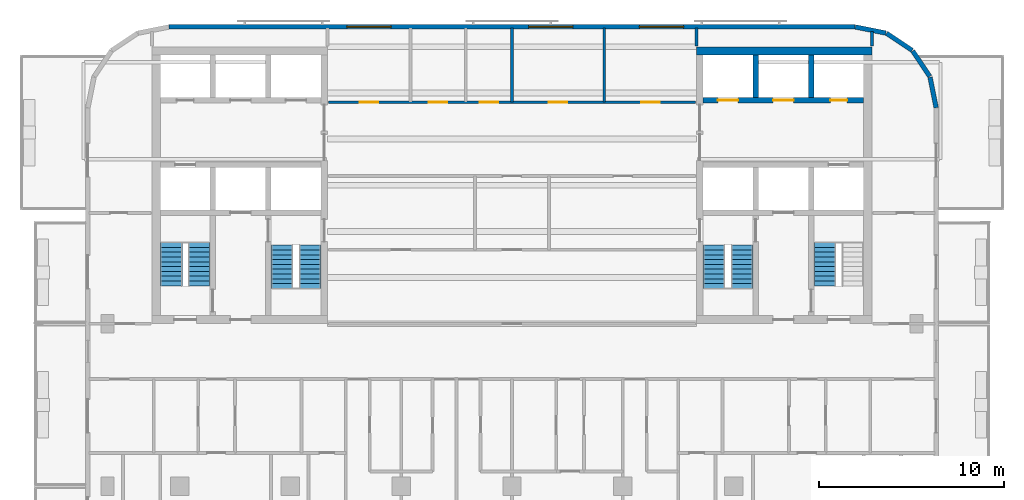
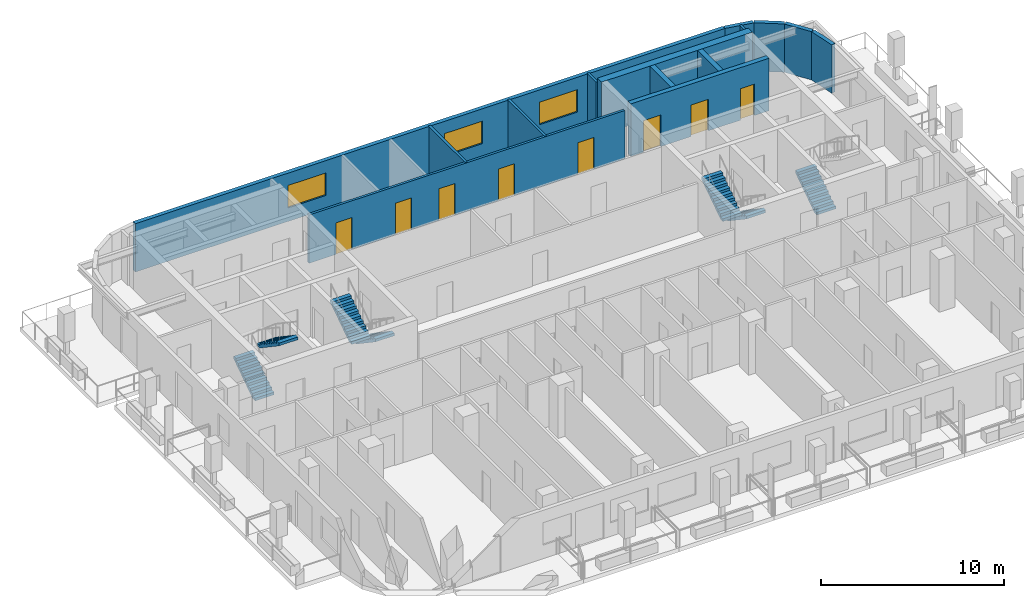
# One storey, part 7 of 11: 14 walls, 8 doors, 7 stair flights, 3 windows, 11 openings, 4 elements without a shape of their own.
"""IFC4 building model written with IfcOpenShell, lengths in metres."""

from ifc_helpers import new_model, si_unit, direction, frame, frame_2d, origin, place, context, subcontext, project, spatial, polyline, rectangle, outline, extrude, material, layer, layer_set, type_object, element, fill, aggregate, save


model = new_model("IFC4")

# Units and contexts
model_context = context("Model", 3, precision=1e-05, world=origin(), true_north=direction((0.0, 1.0)))
body_context = subcontext(model_context, "Body", "Model", "MODEL_VIEW")
ifc_project = project(units=[si_unit("LENGTHUNIT", "METRE"), si_unit("AREAUNIT", "SQUARE_METRE"), si_unit("VOLUMEUNIT", "CUBIC_METRE"), si_unit("PLANEANGLEUNIT", "RADIAN"), si_unit("MASSUNIT", "GRAM", prefix="KILO")], contexts=[model_context])

# Site, building, storey
site_placement = place(None, origin())
site = spatial("IfcSite", under=ifc_project, at=site_placement, CompositionType="ELEMENT")
building_placement = place(site_placement, origin())
building = spatial("IfcBuilding", under=site, at=building_placement, Name="Torana Hotel and Residences", CompositionType="ELEMENT")
storey_placement = place(building_placement, frame((0.0, 0.0, 263.10009765625)))
storey = spatial("IfcBuildingStorey", under=building, at=storey_placement, Name="L69", CompositionType="ELEMENT", Elevation=263.10009765625)

# Wall, openings, doors
ifc_material_1 = material(Name="Concrete C60/75", Category="concrete")
ifc_layer_1 = layer(ifc_material_1, 0.300048828125)
ifc_layer_set_1 = layer_set([ifc_layer_1], Name="CORE WALL 300 C60/75")
wall_type_1 = type_object("IfcWallType", Name="CORE WALL 300 C60/75", PredefinedType="SHEAR", material=ifc_layer_set_1)
wall_1_placement = place(storey_placement, frame((10.35009765625, -2.89990234375, 0.0), z_axis=(0.0, 0.0, 1.0), x_axis=(1.0, 0.0, 0.0)))
wall_1 = element("IfcWall", 1, at=wall_1_placement, inside=storey, type_object=wall_type_1, Name="Core wall E row-N", PredefinedType="SHEAR", context=body_context, shape_type="SweptSolid", body=[
    extrude(rectangle(XDim=8.699951171875, YDim=0.300048828125, at=frame_2d((4.35009765625, 0.0))), origin(), (0.0, 0.0, 1.0), 3.5),
])
opening_1_placement = place(wall_1_placement, frame((0.800048828125, 0.0, 0.0)))
opening_1 = element("IfcOpeningElement", 2, at=opening_1_placement, cuts=wall_1, Name="Opening LD", PredefinedType="OPENING", context=body_context, shape_type="SweptSolid", body=[
    extrude(rectangle(XDim=1.10009765625, YDim=2.10009765625, at=frame_2d((0.550048828125, 1.050048828125))), frame((0.0, 0.159912109375, 0.0), z_axis=(0.0, -1.0, 0.0), x_axis=(1.0, 0.0, 0.0)), (0.0, 0.0, 1.0), 0.320068359375),
])
opening_2_placement = place(wall_1_placement, frame((3.800048828125, 0.0, 0.0)))
opening_2 = element("IfcOpeningElement", 3, at=opening_2_placement, cuts=wall_1, Name="Opening LD", PredefinedType="OPENING", context=body_context, shape_type="SweptSolid", body=[
    extrude(rectangle(XDim=1.10009765625, YDim=2.10009765625, at=frame_2d((0.550048828125, 1.050048828125))), frame((0.0, 0.159912109375, 0.0), z_axis=(0.0, -1.0, 0.0), x_axis=(1.0, 0.0, 0.0)), (0.0, 0.0, 1.0), 0.320068359375),
])
opening_3_placement = place(wall_1_placement, frame((6.89990234375, 0.0, 0.0)))
opening_3 = element("IfcOpeningElement", 4, at=opening_3_placement, cuts=wall_1, Name="Opening L69-14", PredefinedType="OPENING", context=body_context, shape_type="SweptSolid", body=[
    extrude(rectangle(XDim=0.89990234375, YDim=2.10009765625, at=frame_2d((0.449951171875, 1.050048828125))), frame((0.0, 0.159912109375, 0.0), z_axis=(0.0, -1.0, 0.0), x_axis=(1.0, 0.0, 0.0)), (0.0, 0.0, 1.0), 0.320068359375),
])
ifc_material_2 = material(Name="Stainless steel 316", Category="steel")
door_type_1 = type_object("IfcDoorType", Name="LIFT LANDING DOOR LD 1100x2100", OperationType="DOUBLE_DOOR_SLIDING", PredefinedType="USERDEFINED", material=ifc_material_2)
door_1_placement = place(opening_1_placement, origin())
door_1 = element("IfcDoor", 5, at=door_1_placement, inside=storey, type_object=door_type_1, Name="Lift landing door H3 L69", ObjectType="LIFT LANDING DOOR", OperationType="DOUBLE_DOOR_SLIDING", OverallHeight=2.10009765625, OverallWidth=1.10009765625, PredefinedType="USERDEFINED", context=body_context, shape_type="SweptSolid", body=[
    extrude(rectangle(XDim=1.10009765625, YDim=2.10009765625, at=frame_2d((0.550048828125, 1.050048828125))), frame((0.0, 0.02490234375, 0.0), z_axis=(0.0, -1.0, 0.0), x_axis=(1.0, 0.0, 0.0)), (0.0, 0.0, 1.0), 0.050048828125),
])
fill(opening_1, door_1)
door_2_placement = place(opening_2_placement, origin())
door_2 = element("IfcDoor", 6, at=door_2_placement, inside=storey, type_object=door_type_1, Name="Lift landing door H4 L69", ObjectType="LIFT LANDING DOOR", OperationType="DOUBLE_DOOR_SLIDING", OverallHeight=2.10009765625, OverallWidth=1.10009765625, PredefinedType="USERDEFINED", context=body_context, shape_type="SweptSolid", body=[
    extrude(rectangle(XDim=1.10009765625, YDim=2.10009765625, at=frame_2d((0.550048828125, 1.050048828125))), frame((0.0, 0.02490234375, 0.0), z_axis=(0.0, -1.0, 0.0), x_axis=(1.0, 0.0, 0.0)), (0.0, 0.0, 1.0), 0.050048828125),
])
fill(opening_2, door_2)
ifc_material_3 = material(Name="Steel S235", Category="steel")
door_type_2 = type_object("IfcDoorType", Name="RISER ACCESS DOOR D5 900x2100", OperationType="SINGLE_SWING_LEFT", PredefinedType="DOOR", material=ifc_material_3)
door_3_placement = place(opening_3_placement, origin())
door_3 = element("IfcDoor", 7, at=door_3_placement, inside=storey, type_object=door_type_2, Name="N2 door L69", OperationType="SINGLE_SWING_RIGHT", OverallHeight=2.10009765625, OverallWidth=0.89990234375, PredefinedType="DOOR", context=body_context, shape_type="SweptSolid", body=[
    extrude(rectangle(XDim=0.89990234375, YDim=2.10009765625, at=frame_2d((0.449951171875, 1.050048828125))), frame((0.0, 0.02490234375, 0.0), z_axis=(0.0, -1.0, 0.0), x_axis=(1.0, 0.0, 0.0)), (0.0, 0.0, 1.0), 0.050048828125),
])
fill(opening_3, door_3)

# Walls
for number, where, z_axis, x_axis, name in (
    (8, (13.199951171875, -2.75, 0.0), (0.0, 0.0, 1.0), (0.0, 1.0, 0.0), "Core wall E x3.05-N"),
    (9, (16.199951171875, -2.75, 0.0), (0.0, 0.0, 1.0), (0.0, 1.0, 0.0), "Core wall E x6.05-N"),
):
    element("IfcWall", number, at=place(storey_placement, frame(where, z_axis=z_axis, x_axis=x_axis)), inside=storey, type_object=wall_type_1, Name=name, PredefinedType="SHEAR", context=body_context, shape_type="SweptSolid", body=[
        extrude(rectangle(XDim=2.300048828125, YDim=0.300048828125, at=frame_2d((1.14990234375, 0.0))), origin(), (0.0, 0.0, 1.0), 3.5),
    ])
ifc_material_4 = material(Name="Concrete C60/75", Category="concrete")
ifc_layer_2 = layer(ifc_material_4, 0.449951171875)
ifc_layer_set_2 = layer_set([ifc_layer_2], Name="CORE WALL 450 C60/75")
wall_type_2 = type_object("IfcWallType", Name="CORE WALL 450 C60/75", PredefinedType="SHEAR", material=ifc_layer_set_2)
wall_2_placement = place(storey_placement, frame((10.0, -0.22509765625, 0.0), z_axis=(0.0, 0.0, 1.0), x_axis=(1.0, 0.0, 0.0)))
element("IfcWall", 10, at=wall_2_placement, inside=storey, type_object=wall_type_2, Name="Core wall E rear", PredefinedType="SHEAR", context=body_context, shape_type="SweptSolid", body=[
    extrude(rectangle(XDim=9.5, YDim=0.449951171875, at=frame_2d((4.75, 0.0))), origin(), (0.0, 0.0, 1.0), 3.5),
])
ifc_material_5 = material(Name="Black aluminium composite panel", Category="aluminium")
ifc_layer_3 = layer(ifc_material_5, 0.00390625, Name="Cladding", Category="cladding")
ifc_material_6 = material(Name="Ventilated air cavity")
ifc_layer_4 = layer(ifc_material_6, 0.0400390625, Name="Ventilated cavity", Category="cavity")
ifc_material_7 = material(Name="Mineral wool insulation")
ifc_layer_5 = layer(ifc_material_7, 0.090087890625, Name="Insulation", Category="insulation")
ifc_material_8 = material(Name="Steel S280GD", Category="steel")
ifc_layer_6 = layer(ifc_material_8, 0.092041015625, Name="Steel stud frame", Category="structure")
ifc_material_9 = material(Name="Fire rated plasterboard")
ifc_layer_7 = layer(ifc_material_9, 0.011962890625, Name="Inner board", Category="finish")
ifc_layer_8 = layer(ifc_material_9, 0.011962890625, Name="Second board", Category="finish")
ifc_layer_set_3 = layer_set([ifc_layer_3, ifc_layer_4, ifc_layer_5, ifc_layer_6, ifc_layer_7, ifc_layer_8], Name="EW1 EXTERNAL WALL BLACK METAL CLAD 250")
wall_type_3 = type_object("IfcWallType", Name="EW1 EXTERNAL WALL BLACK METAL CLAD 250", PredefinedType="SOLIDWALL", material=ifc_layer_set_3)
wall_3_placement = place(storey_placement, frame((22.97265625, -3.30029296875, 0.0), z_axis=(0.0, 0.0, 1.0), x_axis=(-0.19513878023, 0.980775640221, 0.0)))
element("IfcWall", 11, at=wall_3_placement, inside=storey, type_object=wall_type_3, Name="External wall L69 e0.0", PredefinedType="SOLIDWALL", context=body_context, shape_type="SweptSolid", body=[
    extrude(rectangle(XDim=1.681396484375, YDim=0.25, at=frame_2d((0.8408203125, 0.0))), origin(), (0.0, 0.0, 1.0), 3.219970703125),
])
for number, where, z_axis, x_axis, name in (
    (12, (22.6259765625, -1.60595703125, 0.0), (0.0, 0.0, 1.0), (-0.55555029066, 0.831482937015, 0.0), "External wall L69 e0.1"),
    (13, (21.671142578125, -0.1943359375, 0.0), (0.0, 0.0, 1.0), (-0.831482937015, 0.55555029066, 0.0), "External wall L69 e0.2"),
):
    element("IfcWall", number, at=place(storey_placement, frame(where, z_axis=z_axis, x_axis=x_axis)), inside=storey, type_object=wall_type_3, Name=name, PredefinedType="SOLIDWALL", context=body_context, shape_type="SweptSolid", body=[
        extrude(rectangle(XDim=1.65625, YDim=0.25, at=frame_2d((0.828125, 0.0))), origin(), (0.0, 0.0, 1.0), 3.219970703125),
    ])
wall_4_placement = place(storey_placement, frame((20.248779296875, 0.74462890625, 0.0), z_axis=(0.0, 0.0, 1.0), x_axis=(-0.980797896849, 0.195026884138, 0.0)))
element("IfcWall", 14, at=wall_4_placement, inside=storey, type_object=wall_type_3, Name="External wall L69 e0.3", PredefinedType="SOLIDWALL", context=body_context, shape_type="SweptSolid", body=[
    extrude(rectangle(XDim=1.68115234375, YDim=0.25, at=frame_2d((0.840576171875, 0.0))), origin(), (0.0, 0.0, 1.0), 3.219970703125),
])

# Wall, openings, windows
ifc_material_10 = material(Name="Concrete C40/50 precast", Category="concrete")
ifc_layer_9 = layer(ifc_material_10, 0.10009765625, Name="Perforated block", Category="cladding")
ifc_material_11 = material(Name="Air cavity")
ifc_layer_10 = layer(ifc_material_11, 0.030029296875, Name="Cavity", Category="cavity")
ifc_material_12 = material(Name="Concrete C40/50", Category="concrete")
ifc_layer_11 = layer(ifc_material_12, 0.10009765625, Name="Wall", Category="structure")
ifc_material_13 = material(Name="Plaster and paint")
ifc_layer_12 = layer(ifc_material_13, 0.02001953125, Name="Inner finish", Category="finish")
ifc_layer_set_4 = layer_set([ifc_layer_9, ifc_layer_10, ifc_layer_11, ifc_layer_12], Name="EW2 PERFORATED BLOCK SCREEN WALL 250")
wall_type_4 = type_object("IfcWallType", Name="EW2 PERFORATED BLOCK SCREEN WALL 250", PredefinedType="SOLIDWALL", material=ifc_layer_set_4)
wall_5_placement = place(storey_placement, frame((18.575439453125, 1.074951171875, 0.0), z_axis=(0.0, 0.0, 1.0), x_axis=(-1.0, 0.0, 0.0)))
wall_5 = element("IfcWall", 15, at=wall_5_placement, inside=storey, type_object=wall_type_4, Name="External wall L69 e0.4", PredefinedType="SOLIDWALL", context=body_context, shape_type="SweptSolid", body=[
    extrude(rectangle(XDim=37.15087890625, YDim=0.25, at=frame_2d((18.575439453125, 0.0))), origin(), (0.0, 0.0, 1.0), 3.219970703125),
])
opening_4_placement = place(wall_5_placement, frame((9.275390625, 0.0, 0.89990234375)))
opening_4 = element("IfcOpeningElement", 16, at=opening_4_placement, cuts=wall_5, Name="Opening W3", PredefinedType="OPENING", context=body_context, shape_type="SweptSolid", body=[
    extrude(rectangle(XDim=2.39990234375, YDim=1.5, at=frame_2d((1.199951171875, 0.75))), frame((0.0, 0.135009765625, 0.0), z_axis=(0.0, -1.0, 0.0), x_axis=(1.0, 0.0, 0.0)), (0.0, 0.0, 1.0), 0.27001953125),
])
opening_5_placement = place(wall_5_placement, frame((15.275390625, 0.0, 0.89990234375)))
opening_5 = element("IfcOpeningElement", 17, at=opening_5_placement, cuts=wall_5, Name="Opening W3", PredefinedType="OPENING", context=body_context, shape_type="SweptSolid", body=[
    extrude(rectangle(XDim=2.39990234375, YDim=1.5, at=frame_2d((1.199951171875, 0.75))), frame((0.0, 0.135009765625, 0.0), z_axis=(0.0, -1.0, 0.0), x_axis=(1.0, 0.0, 0.0)), (0.0, 0.0, 1.0), 0.27001953125),
])
opening_6_placement = place(wall_5_placement, frame((25.12548828125, 0.0, 0.89990234375)))
opening_6 = element("IfcOpeningElement", 18, at=opening_6_placement, cuts=wall_5, Name="Opening W3", PredefinedType="OPENING", context=body_context, shape_type="SweptSolid", body=[
    extrude(rectangle(XDim=2.39990234375, YDim=1.5, at=frame_2d((1.199951171875, 0.75))), frame((0.0, 0.135009765625, 0.0), z_axis=(0.0, -1.0, 0.0), x_axis=(1.0, 0.0, 0.0)), (0.0, 0.0, 1.0), 0.27001953125),
])
ifc_material_14 = material(Name="Dark glass in black aluminium frame", Category="aluminium")
window_type = type_object("IfcWindowType", Name="W3 RESIDENCE WINDOW 2400x1500", PartitioningType="SINGLE_PANEL", PredefinedType="WINDOW", material=ifc_material_14)
window_1_placement = place(opening_4_placement, origin())
window_1 = element("IfcWindow", 19, at=window_1_placement, inside=storey, type_object=window_type, Name="Window L69", OverallHeight=1.5, OverallWidth=2.39990234375, PartitioningType="SINGLE_PANEL", PredefinedType="WINDOW", context=body_context, shape_type="SweptSolid", body=[
    extrude(rectangle(XDim=2.39990234375, YDim=1.5, at=frame_2d((1.199951171875, 0.75))), frame((0.0, 0.030029296875, 0.0), z_axis=(0.0, -1.0, 0.0), x_axis=(1.0, 0.0, 0.0)), (0.0, 0.0, 1.0), 0.06005859375),
])
fill(opening_4, window_1)
window_2_placement = place(opening_5_placement, origin())
window_2 = element("IfcWindow", 20, at=window_2_placement, inside=storey, type_object=window_type, Name="Window L69", OverallHeight=1.5, OverallWidth=2.39990234375, PartitioningType="SINGLE_PANEL", PredefinedType="WINDOW", context=body_context, shape_type="SweptSolid", body=[
    extrude(rectangle(XDim=2.39990234375, YDim=1.5, at=frame_2d((1.199951171875, 0.75))), frame((0.0, 0.030029296875, 0.0), z_axis=(0.0, -1.0, 0.0), x_axis=(1.0, 0.0, 0.0)), (0.0, 0.0, 1.0), 0.06005859375),
])
fill(opening_5, window_2)
window_3_placement = place(opening_6_placement, origin())
window_3 = element("IfcWindow", 21, at=window_3_placement, inside=storey, type_object=window_type, Name="Window L69", OverallHeight=1.5, OverallWidth=2.39990234375, PartitioningType="SINGLE_PANEL", PredefinedType="WINDOW", context=body_context, shape_type="SweptSolid", body=[
    extrude(rectangle(XDim=2.39990234375, YDim=1.5, at=frame_2d((1.199951171875, 0.75))), frame((0.0, 0.030029296875, 0.0), z_axis=(0.0, -1.0, 0.0), x_axis=(1.0, 0.0, 0.0)), (0.0, 0.0, 1.0), 0.06005859375),
])
fill(opening_6, window_3)

# Wall, openings, doors
ifc_material_15 = material(Name="Gypsum plaster")
ifc_layer_13 = layer(ifc_material_15, 0.014892578125, Name="Plaster", Category="finish")
ifc_material_16 = material(Name="Concrete blockwork", Category="masonry")
ifc_layer_14 = layer(ifc_material_16, 0.1201171875, Name="Blockwork", Category="structure")
ifc_layer_15 = layer(ifc_material_15, 0.014892578125, Name="Plaster", Category="finish")
ifc_layer_set_5 = layer_set([ifc_layer_13, ifc_layer_14, ifc_layer_15], Name="FIRE PARTITION 150 BLOCKWORK")
wall_type_5 = type_object("IfcWallType", Name="FIRE PARTITION 150 BLOCKWORK", PredefinedType="PARTITIONING", material=ifc_layer_set_5)
wall_6_placement = place(storey_placement, frame((-9.949951171875, -3.0, 0.0), z_axis=(0.0, 0.0, 1.0), x_axis=(1.0, 0.0, 0.0)))
wall_6 = element("IfcWall", 22, at=wall_6_placement, inside=storey, type_object=wall_type_5, Name="Partition L69", PredefinedType="PARTITIONING", context=body_context, shape_type="SweptSolid", body=[
    extrude(rectangle(XDim=19.89990234375, YDim=0.14990234375, at=frame_2d((9.949951171875, 0.0))), origin(), (0.0, 0.0, 1.0), 3.219970703125),
])
opening_7_placement = place(wall_6_placement, frame((1.699951171875, 0.0, 0.0)))
opening_7 = element("IfcOpeningElement", 23, at=opening_7_placement, cuts=wall_6, Name="Opening L69-33", PredefinedType="OPENING", context=body_context, shape_type="SweptSolid", body=[
    extrude(rectangle(XDim=1.0, YDim=2.10009765625, at=frame_2d((0.5, 1.050048828125))), frame((0.0, 0.0849609375, 0.0), z_axis=(0.0, -1.0, 0.0), x_axis=(1.0, 0.0, 0.0)), (0.0, 0.0, 1.0), 0.169921875),
])
opening_8_placement = place(wall_6_placement, frame((5.449951171875, 0.0, 0.0)))
opening_8 = element("IfcOpeningElement", 24, at=opening_8_placement, cuts=wall_6, Name="Opening L69-34", PredefinedType="OPENING", context=body_context, shape_type="SweptSolid", body=[
    extrude(rectangle(XDim=1.0, YDim=2.10009765625, at=frame_2d((0.5, 1.050048828125))), frame((0.0, 0.0849609375, 0.0), z_axis=(0.0, -1.0, 0.0), x_axis=(1.0, 0.0, 0.0)), (0.0, 0.0, 1.0), 0.169921875),
])
opening_9_placement = place(wall_6_placement, frame((8.199951171875, 0.0, 0.0)))
opening_9 = element("IfcOpeningElement", 25, at=opening_9_placement, cuts=wall_6, Name="Opening L69-35", PredefinedType="OPENING", context=body_context, shape_type="SweptSolid", body=[
    extrude(rectangle(XDim=1.0, YDim=2.10009765625, at=frame_2d((0.5, 1.050048828125))), frame((0.0, 0.0849609375, 0.0), z_axis=(0.0, -1.0, 0.0), x_axis=(1.0, 0.0, 0.0)), (0.0, 0.0, 1.0), 0.169921875),
])
opening_10_placement = place(wall_6_placement, frame((11.949951171875, 0.0, 0.0)))
opening_10 = element("IfcOpeningElement", 26, at=opening_10_placement, cuts=wall_6, Name="Opening L69-36", PredefinedType="OPENING", context=body_context, shape_type="SweptSolid", body=[
    extrude(rectangle(XDim=1.0, YDim=2.10009765625, at=frame_2d((0.5, 1.050048828125))), frame((0.0, 0.0849609375, 0.0), z_axis=(0.0, -1.0, 0.0), x_axis=(1.0, 0.0, 0.0)), (0.0, 0.0, 1.0), 0.169921875),
])
opening_11_placement = place(wall_6_placement, frame((16.949951171875, 0.0, 0.0)))
opening_11 = element("IfcOpeningElement", 27, at=opening_11_placement, cuts=wall_6, Name="Opening L69-37", PredefinedType="OPENING", context=body_context, shape_type="SweptSolid", body=[
    extrude(rectangle(XDim=1.0, YDim=2.10009765625, at=frame_2d((0.5, 1.050048828125))), frame((0.0, 0.0849609375, 0.0), z_axis=(0.0, -1.0, 0.0), x_axis=(1.0, 0.0, 0.0)), (0.0, 0.0, 1.0), 0.169921875),
])
ifc_material_17 = material(Name="Steel S235", Category="steel")
door_type_3 = type_object("IfcDoorType", Name="ENTRY FIRE DOOR D6 1000x2100", OperationType="SINGLE_SWING_LEFT", PredefinedType="DOOR", material=ifc_material_17)
door_4_placement = place(opening_7_placement, origin())
door_4 = element("IfcDoor", 28, at=door_4_placement, inside=storey, type_object=door_type_3, Name="Door L69", OperationType="SINGLE_SWING_RIGHT", OverallHeight=2.10009765625, OverallWidth=1.0, PredefinedType="DOOR", context=body_context, shape_type="SweptSolid", body=[
    extrude(rectangle(XDim=1.0, YDim=2.10009765625, at=frame_2d((0.5, 1.050048828125))), frame((0.0, 0.02490234375, 0.0), z_axis=(0.0, -1.0, 0.0), x_axis=(1.0, 0.0, 0.0)), (0.0, 0.0, 1.0), 0.050048828125),
])
fill(opening_7, door_4)
door_5_placement = place(opening_8_placement, origin())
door_5 = element("IfcDoor", 29, at=door_5_placement, inside=storey, type_object=door_type_3, Name="Door L69", OperationType="SINGLE_SWING_RIGHT", OverallHeight=2.10009765625, OverallWidth=1.0, PredefinedType="DOOR", context=body_context, shape_type="SweptSolid", body=[
    extrude(rectangle(XDim=1.0, YDim=2.10009765625, at=frame_2d((0.5, 1.050048828125))), frame((0.0, 0.02490234375, 0.0), z_axis=(0.0, -1.0, 0.0), x_axis=(1.0, 0.0, 0.0)), (0.0, 0.0, 1.0), 0.050048828125),
])
fill(opening_8, door_5)
door_6_placement = place(opening_9_placement, origin())
door_6 = element("IfcDoor", 30, at=door_6_placement, inside=storey, type_object=door_type_3, Name="Door L69", OperationType="SINGLE_SWING_RIGHT", OverallHeight=2.10009765625, OverallWidth=1.0, PredefinedType="DOOR", context=body_context, shape_type="SweptSolid", body=[
    extrude(rectangle(XDim=1.0, YDim=2.10009765625, at=frame_2d((0.5, 1.050048828125))), frame((0.0, 0.02490234375, 0.0), z_axis=(0.0, -1.0, 0.0), x_axis=(1.0, 0.0, 0.0)), (0.0, 0.0, 1.0), 0.050048828125),
])
fill(opening_9, door_6)
door_7_placement = place(opening_10_placement, origin())
door_7 = element("IfcDoor", 31, at=door_7_placement, inside=storey, type_object=door_type_3, Name="Door L69", OperationType="SINGLE_SWING_RIGHT", OverallHeight=2.10009765625, OverallWidth=1.0, PredefinedType="DOOR", context=body_context, shape_type="SweptSolid", body=[
    extrude(rectangle(XDim=1.0, YDim=2.10009765625, at=frame_2d((0.5, 1.050048828125))), frame((0.0, 0.02490234375, 0.0), z_axis=(0.0, -1.0, 0.0), x_axis=(1.0, 0.0, 0.0)), (0.0, 0.0, 1.0), 0.050048828125),
])
fill(opening_10, door_7)
door_8_placement = place(opening_11_placement, origin())
door_8 = element("IfcDoor", 32, at=door_8_placement, inside=storey, type_object=door_type_3, Name="Door L69", OperationType="SINGLE_SWING_RIGHT", OverallHeight=2.10009765625, OverallWidth=1.0, PredefinedType="DOOR", context=body_context, shape_type="SweptSolid", body=[
    extrude(rectangle(XDim=1.0, YDim=2.10009765625, at=frame_2d((0.5, 1.050048828125))), frame((0.0, 0.02490234375, 0.0), z_axis=(0.0, -1.0, 0.0), x_axis=(1.0, 0.0, 0.0)), (0.0, 0.0, 1.0), 0.050048828125),
])
fill(opening_11, door_8)

# Walls
ifc_material_18 = material(Name="Gypsum plasterboard")
ifc_layer_16 = layer(ifc_material_18, 0.012451171875, Name="Plasterboard", Category="finish")
ifc_layer_17 = layer(ifc_material_18, 0.012451171875, Name="Plasterboard", Category="finish")
ifc_layer_18 = layer(ifc_material_8, 0.10009765625, Name="Steel studs with mineral wool", Category="insulation")
ifc_layer_19 = layer(ifc_material_18, 0.012451171875, Name="Plasterboard", Category="finish")
ifc_layer_20 = layer(ifc_material_18, 0.012451171875, Name="Plasterboard", Category="finish")
ifc_layer_set_6 = layer_set([ifc_layer_16, ifc_layer_17, ifc_layer_18, ifc_layer_19, ifc_layer_20], Name="PARTITION 150 PLASTERBOARD")
wall_type_6 = type_object("IfcWallType", Name="PARTITION 150 PLASTERBOARD", PredefinedType="PARTITIONING", material=ifc_layer_set_6)
wall_7_placement = place(storey_placement, frame((19.5, 0.050048828125, 0.0), z_axis=(0.0, 0.0, 1.0), x_axis=(0.0, 1.0, 0.0)))
element("IfcWall", 33, at=wall_7_placement, inside=storey, type_object=wall_type_6, Name="Partition L69", PredefinedType="PARTITIONING", context=body_context, shape_type="SweptSolid", body=[
    extrude(rectangle(XDim=0.787353515625, YDim=0.14990234375, at=frame_2d((0.3935546875, 0.0))), origin(), (0.0, 0.0, 1.0), 3.219970703125),
])
wall_8_placement = place(storey_placement, frame((10.0, 0.050048828125, 0.0), z_axis=(0.0, 0.0, 1.0), x_axis=(0.0, 1.0, 0.0)))
element("IfcWall", 34, at=wall_8_placement, inside=storey, type_object=wall_type_6, Name="Partition L69", PredefinedType="PARTITIONING", context=body_context, shape_type="SweptSolid", body=[
    extrude(rectangle(XDim=0.969970703125, YDim=0.14990234375, at=frame_2d((0.48486328125, 0.0))), origin(), (0.0, 0.0, 1.0), 3.219970703125),
])
wall_9_placement = place(storey_placement, frame((5.0, -3.0, 0.0), z_axis=(0.0, 0.0, 1.0), x_axis=(0.0, 1.0, 0.0)))
element("IfcWall", 35, at=wall_9_placement, inside=storey, type_object=wall_type_6, Name="Partition L69", PredefinedType="PARTITIONING", context=body_context, shape_type="SweptSolid", body=[
    extrude(rectangle(XDim=4.02001953125, YDim=0.14990234375, at=frame_2d((2.010009765625, 0.0))), origin(), (0.0, 0.0, 1.0), 3.219970703125),
])
ifc_material_19 = material(Name="Ceramic tile on adhesive")
ifc_layer_21 = layer(ifc_material_19, 0.010009765625, Name="Wall tile", Category="finish")
ifc_material_20 = material(Name="Cement render")
ifc_layer_22 = layer(ifc_material_20, 0.010009765625, Name="Render", Category="finish")
ifc_layer_23 = layer(ifc_material_16, 0.110107421875, Name="Blockwork", Category="structure")
ifc_layer_24 = layer(ifc_material_20, 0.010009765625, Name="Render", Category="finish")
ifc_layer_25 = layer(ifc_material_19, 0.010009765625, Name="Wall tile", Category="finish")
ifc_layer_set_7 = layer_set([ifc_layer_21, ifc_layer_22, ifc_layer_23, ifc_layer_24, ifc_layer_25], Name="WC PARTITION 150")
wall_type_7 = type_object("IfcWallType", Name="WC PARTITION 150", PredefinedType="PLUMBINGWALL", material=ifc_layer_set_7)
wall_10_placement = place(storey_placement, frame((0.0, -3.0, 0.0), z_axis=(0.0, 0.0, 1.0), x_axis=(0.0, 1.0, 0.0)))
element("IfcWall", 36, at=wall_10_placement, inside=storey, type_object=wall_type_7, Name="Partition L69", PredefinedType="PLUMBINGWALL", context=body_context, shape_type="SweptSolid", body=[
    extrude(rectangle(XDim=4.02001953125, YDim=0.14990234375, at=frame_2d((2.010009765625, 0.0))), origin(), (0.0, 0.0, 1.0), 3.219970703125),
])

# Stair, stair flights
ifc_material_21 = material(Name="Concrete C40/50 precast", Category="concrete")
stair_type_1 = type_object("IfcStairType", Name="STAIR ST1 HALF TURN 1200", PredefinedType="HALF_TURN_STAIR", material=ifc_material_21)
stair_1_placement = place(storey_placement, origin())
stair_1 = element("IfcStair", 37, at=stair_1_placement, inside=storey, type_object=stair_type_1, Name="Stair ST1 L69", PredefinedType="HALF_TURN_STAIR")
ifc_material_22 = material(Name="Concrete C40/50 precast", Category="concrete")
stair_flight_type = type_object("IfcStairFlightType", Name="STAIR FLIGHT 1200 PRECAST", PredefinedType="STRAIGHT", material=ifc_material_22)
stair_flight_1_placement = place(storey_placement, frame((-10.949951171875, -10.75, 0.0), z_axis=(0.0, 0.0, 1.0), x_axis=(0.0, -1.0, 0.0)))
stair_flight_1 = element("IfcStairFlight", 38, at=stair_flight_1_placement, type_object=stair_flight_type, Name="ST1 flight 1", NumberOfRisers=10, NumberOfTreads=9, PredefinedType="STRAIGHT", RiserHeight=0.175, TreadLength=0.26, context=body_context, shape_type="SweptSolid", body=[
    extrude(outline(polyline([(0.0, 0.0), (0.0, 0.175048828125), (0.260009765625, 0.175048828125), (0.260009765625, 0.35009765625), (0.52001953125, 0.35009765625), (0.52001953125, 0.52490234375), (0.780029296875, 0.52490234375), (0.780029296875, 0.699951171875), (1.0400390625, 0.699951171875), (1.0400390625, 0.875), (1.300048828125, 0.875), (1.300048828125, 1.050048828125), (1.56005859375, 1.050048828125), (1.56005859375, 1.22509765625), (1.820068359375, 1.22509765625), (1.820068359375, 1.39990234375), (2.080078125, 1.39990234375), (2.080078125, 1.574951171875), (2.340087890625, 1.574951171875), (2.340087890625, 1.75), (2.340087890625, 1.394287109375), (0.2685546875, 0.0), (0.0, 0.0)])), frame((0.0, 0.60009765625, 0.0), z_axis=(0.0, -1.0, 0.0), x_axis=(1.0, 0.0, 0.0)), (0.0, 0.0, 1.0), 1.199951171875),
])
stair_flight_2_placement = place(storey_placement, frame((-12.449951171875, -13.090087890625, 1.75), z_axis=(0.0, 0.0, 1.0), x_axis=(0.0, 1.0, 0.0)))
stair_flight_2 = element("IfcStairFlight", 39, at=stair_flight_2_placement, type_object=stair_flight_type, Name="ST1 flight 2", NumberOfRisers=10, NumberOfTreads=9, PredefinedType="STRAIGHT", RiserHeight=0.175, TreadLength=0.26, context=body_context, shape_type="SweptSolid", body=[
    extrude(outline(polyline([(0.0, 0.0), (0.0, 0.175048828125), (0.260009765625, 0.175048828125), (0.260009765625, 0.35009765625), (0.52001953125, 0.35009765625), (0.52001953125, 0.52490234375), (0.780029296875, 0.52490234375), (0.780029296875, 0.699951171875), (1.0400390625, 0.699951171875), (1.0400390625, 0.875), (1.300048828125, 0.875), (1.300048828125, 1.050048828125), (1.56005859375, 1.050048828125), (1.56005859375, 1.22509765625), (1.820068359375, 1.22509765625), (1.820068359375, 1.39990234375), (2.080078125, 1.39990234375), (2.080078125, 1.574951171875), (2.340087890625, 1.574951171875), (2.340087890625, 1.75), (2.340087890625, 1.394287109375), (0.2685546875, 0.0), (0.0, 0.0)])), frame((0.0, 0.60009765625, 0.0), z_axis=(0.0, -1.0, 0.0), x_axis=(1.0, 0.0, 0.0)), (0.0, 0.0, 1.0), 1.199951171875),
])
aggregate(stair_1, [stair_flight_1, stair_flight_2])

ifc_material_23 = material(Name="Concrete C40/50 precast", Category="concrete")
stair_type_2 = type_object("IfcStairType", Name="STAIR ST2 HALF TURN 1200", PredefinedType="HALF_TURN_STAIR", material=ifc_material_23)
stair_2_placement = place(storey_placement, origin())
stair_2 = element("IfcStair", 40, at=stair_2_placement, inside=storey, type_object=stair_type_2, Name="Stair ST2 L69", PredefinedType="HALF_TURN_STAIR")
stair_flight_3_placement = place(storey_placement, frame((-18.449951171875, -12.949951171875, 0.0), z_axis=(0.0, 0.0, 1.0), x_axis=(0.0, 1.0, 0.0)))
stair_flight_3 = element("IfcStairFlight", 41, at=stair_flight_3_placement, type_object=stair_flight_type, Name="ST2 flight 1", NumberOfRisers=10, NumberOfTreads=9, PredefinedType="STRAIGHT", RiserHeight=0.175, TreadLength=0.26, context=body_context, shape_type="SweptSolid", body=[
    extrude(outline(polyline([(0.0, 0.0), (0.0, 0.175048828125), (0.260009765625, 0.175048828125), (0.260009765625, 0.35009765625), (0.52001953125, 0.35009765625), (0.52001953125, 0.52490234375), (0.780029296875, 0.52490234375), (0.780029296875, 0.699951171875), (1.0400390625, 0.699951171875), (1.0400390625, 0.875), (1.300048828125, 0.875), (1.300048828125, 1.050048828125), (1.56005859375, 1.050048828125), (1.56005859375, 1.22509765625), (1.820068359375, 1.22509765625), (1.820068359375, 1.39990234375), (2.080078125, 1.39990234375), (2.080078125, 1.574951171875), (2.340087890625, 1.574951171875), (2.340087890625, 1.75), (2.340087890625, 1.394287109375), (0.2685546875, 0.0), (0.0, 0.0)])), frame((0.0, 0.60009765625, 0.0), z_axis=(0.0, -1.0, 0.0), x_axis=(1.0, 0.0, 0.0)), (0.0, 0.0, 1.0), 1.199951171875),
])
stair_flight_4_placement = place(storey_placement, frame((-16.949951171875, -10.610107421875, 1.75), z_axis=(0.0, 0.0, 1.0), x_axis=(0.0, -1.0, 0.0)))
stair_flight_4 = element("IfcStairFlight", 42, at=stair_flight_4_placement, type_object=stair_flight_type, Name="ST2 flight 2", NumberOfRisers=10, NumberOfTreads=9, PredefinedType="STRAIGHT", RiserHeight=0.175, TreadLength=0.26, context=body_context, shape_type="SweptSolid", body=[
    extrude(outline(polyline([(0.0, 0.0), (0.0, 0.175048828125), (0.260009765625, 0.175048828125), (0.260009765625, 0.35009765625), (0.52001953125, 0.35009765625), (0.52001953125, 0.52490234375), (0.780029296875, 0.52490234375), (0.780029296875, 0.699951171875), (1.0400390625, 0.699951171875), (1.0400390625, 0.875), (1.300048828125, 0.875), (1.300048828125, 1.050048828125), (1.56005859375, 1.050048828125), (1.56005859375, 1.22509765625), (1.820068359375, 1.22509765625), (1.820068359375, 1.39990234375), (2.080078125, 1.39990234375), (2.080078125, 1.574951171875), (2.340087890625, 1.574951171875), (2.340087890625, 1.75), (2.340087890625, 1.394287109375), (0.2685546875, 0.0), (0.0, 0.0)])), frame((0.0, 0.60009765625, 0.0), z_axis=(0.0, -1.0, 0.0), x_axis=(1.0, 0.0, 0.0)), (0.0, 0.0, 1.0), 1.199951171875),
])
aggregate(stair_2, [stair_flight_3, stair_flight_4])

ifc_material_24 = material(Name="Concrete C40/50 precast", Category="concrete")
stair_type_3 = type_object("IfcStairType", Name="STAIR ST3 HALF TURN 1200", PredefinedType="HALF_TURN_STAIR", material=ifc_material_24)
stair_3_placement = place(storey_placement, origin())
stair_3 = element("IfcStair", 43, at=stair_3_placement, inside=storey, type_object=stair_type_3, Name="Stair ST3 L69", PredefinedType="HALF_TURN_STAIR")
stair_flight_5_placement = place(storey_placement, frame((12.449951171875, -10.75, 0.0), z_axis=(0.0, 0.0, 1.0), x_axis=(0.0, -1.0, 0.0)))
stair_flight_5 = element("IfcStairFlight", 44, at=stair_flight_5_placement, type_object=stair_flight_type, Name="ST3 flight 1", NumberOfRisers=10, NumberOfTreads=9, PredefinedType="STRAIGHT", RiserHeight=0.175, TreadLength=0.26, context=body_context, shape_type="SweptSolid", body=[
    extrude(outline(polyline([(0.0, 0.0), (0.0, 0.175048828125), (0.260009765625, 0.175048828125), (0.260009765625, 0.35009765625), (0.52001953125, 0.35009765625), (0.52001953125, 0.52490234375), (0.780029296875, 0.52490234375), (0.780029296875, 0.699951171875), (1.0400390625, 0.699951171875), (1.0400390625, 0.875), (1.300048828125, 0.875), (1.300048828125, 1.050048828125), (1.56005859375, 1.050048828125), (1.56005859375, 1.22509765625), (1.820068359375, 1.22509765625), (1.820068359375, 1.39990234375), (2.080078125, 1.39990234375), (2.080078125, 1.574951171875), (2.340087890625, 1.574951171875), (2.340087890625, 1.75), (2.340087890625, 1.394287109375), (0.2685546875, 0.0), (0.0, 0.0)])), frame((0.0, 0.60009765625, 0.0), z_axis=(0.0, -1.0, 0.0), x_axis=(1.0, 0.0, 0.0)), (0.0, 0.0, 1.0), 1.199951171875),
])
stair_flight_6_placement = place(storey_placement, frame((10.949951171875, -13.090087890625, 1.75), z_axis=(0.0, 0.0, 1.0), x_axis=(0.0, 1.0, 0.0)))
stair_flight_6 = element("IfcStairFlight", 45, at=stair_flight_6_placement, type_object=stair_flight_type, Name="ST3 flight 2", NumberOfRisers=10, NumberOfTreads=9, PredefinedType="STRAIGHT", RiserHeight=0.175, TreadLength=0.26, context=body_context, shape_type="SweptSolid", body=[
    extrude(outline(polyline([(0.0, 0.0), (0.0, 0.175048828125), (0.260009765625, 0.175048828125), (0.260009765625, 0.35009765625), (0.52001953125, 0.35009765625), (0.52001953125, 0.52490234375), (0.780029296875, 0.52490234375), (0.780029296875, 0.699951171875), (1.0400390625, 0.699951171875), (1.0400390625, 0.875), (1.300048828125, 0.875), (1.300048828125, 1.050048828125), (1.56005859375, 1.050048828125), (1.56005859375, 1.22509765625), (1.820068359375, 1.22509765625), (1.820068359375, 1.39990234375), (2.080078125, 1.39990234375), (2.080078125, 1.574951171875), (2.340087890625, 1.574951171875), (2.340087890625, 1.75), (2.340087890625, 1.394287109375), (0.2685546875, 0.0), (0.0, 0.0)])), frame((0.0, 0.60009765625, 0.0), z_axis=(0.0, -1.0, 0.0), x_axis=(1.0, 0.0, 0.0)), (0.0, 0.0, 1.0), 1.199951171875),
])
aggregate(stair_3, [stair_flight_5, stair_flight_6])

# Stair, stair flight
ifc_material_25 = material(Name="Concrete C40/50 precast", Category="concrete")
stair_type_4 = type_object("IfcStairType", Name="STAIR ST4 HALF TURN 1200", PredefinedType="HALF_TURN_STAIR", material=ifc_material_25)
stair_4_placement = place(storey_placement, origin())
stair_4 = element("IfcStair", 46, at=stair_4_placement, inside=storey, type_object=stair_type_4, Name="Stair ST4 L69", PredefinedType="HALF_TURN_STAIR")
stair_flight_7_placement = place(storey_placement, frame((16.949951171875, -12.949951171875, 0.0), z_axis=(0.0, 0.0, 1.0), x_axis=(0.0, 1.0, 0.0)))
stair_flight_7 = element("IfcStairFlight", 47, at=stair_flight_7_placement, type_object=stair_flight_type, Name="ST4 flight 1", NumberOfRisers=10, NumberOfTreads=9, PredefinedType="STRAIGHT", RiserHeight=0.175, TreadLength=0.26, context=body_context, shape_type="SweptSolid", body=[
    extrude(outline(polyline([(0.0, 0.0), (0.0, 0.175048828125), (0.260009765625, 0.175048828125), (0.260009765625, 0.35009765625), (0.52001953125, 0.35009765625), (0.52001953125, 0.52490234375), (0.780029296875, 0.52490234375), (0.780029296875, 0.699951171875), (1.0400390625, 0.699951171875), (1.0400390625, 0.875), (1.300048828125, 0.875), (1.300048828125, 1.050048828125), (1.56005859375, 1.050048828125), (1.56005859375, 1.22509765625), (1.820068359375, 1.22509765625), (1.820068359375, 1.39990234375), (2.080078125, 1.39990234375), (2.080078125, 1.574951171875), (2.340087890625, 1.574951171875), (2.340087890625, 1.75), (2.340087890625, 1.394287109375), (0.2685546875, 0.0), (0.0, 0.0)])), frame((0.0, 0.60009765625, 0.0), z_axis=(0.0, -1.0, 0.0), x_axis=(1.0, 0.0, 0.0)), (0.0, 0.0, 1.0), 1.199951171875),
])
aggregate(stair_4, [stair_flight_7])

save(model, "model.ifc")
